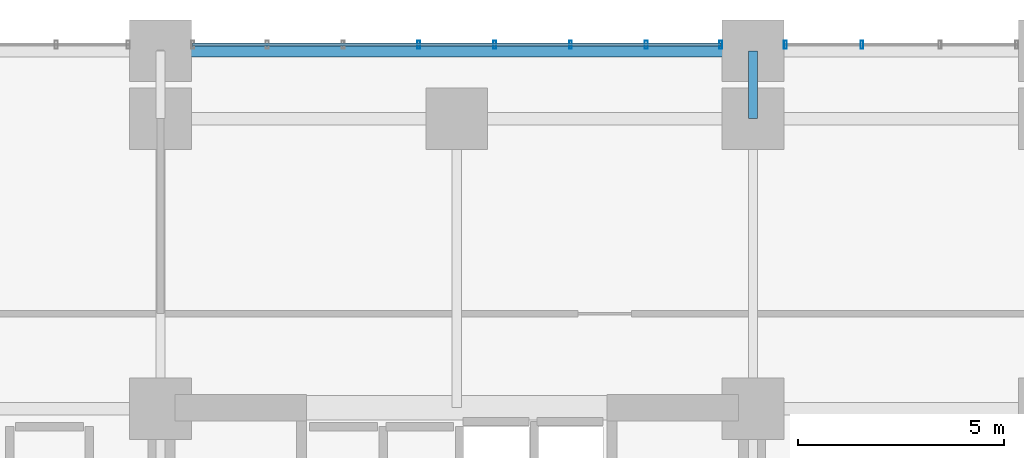
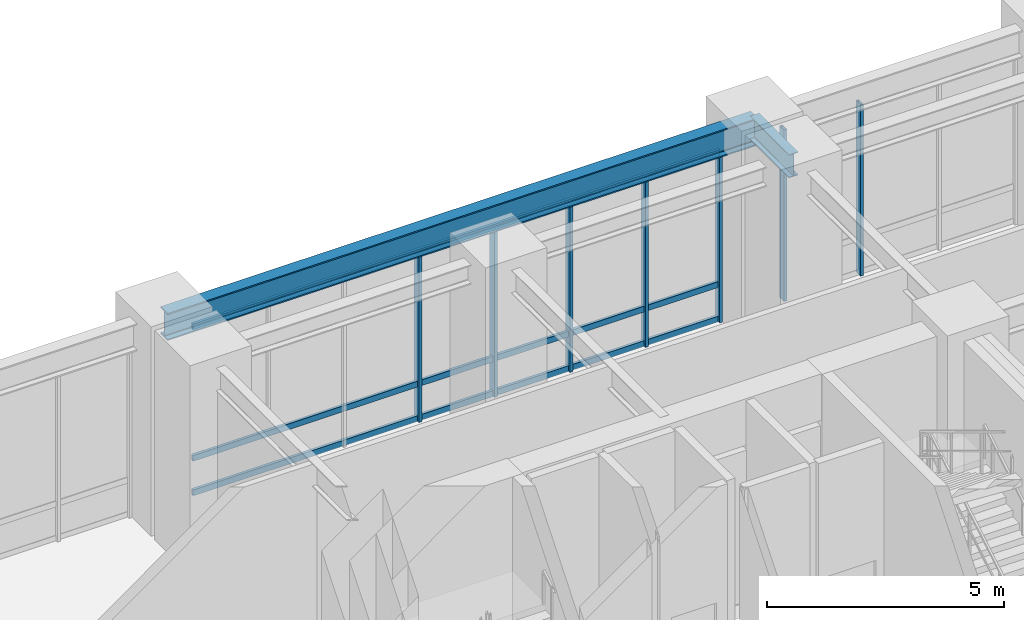
# One storey, part 6 of 22: 10 members, 2 beams, 2 elements without a shape of their own.
"""IFC4 building model written with IfcOpenShell, lengths in metres."""

from ifc_helpers import new_model, si_unit, direction, frame, origin, origin_2d, place, context, subcontext, project, spatial, hollow_rectangle, i_section, extrude, source, transform, mapped, material, layer, layer_set, material_profile, profile_set, type_object, element, aggregate, save


model = new_model("IFC4")

# Units and contexts
model_context = context("Model", 3, precision=1e-05, world=origin(), true_north=direction((0.0, 1.0)))
body_context = subcontext(model_context, "Body", "Model", "MODEL_VIEW")
ifc_project = project(units=[si_unit("LENGTHUNIT", "METRE"), si_unit("AREAUNIT", "SQUARE_METRE"), si_unit("VOLUMEUNIT", "CUBIC_METRE"), si_unit("PLANEANGLEUNIT", "RADIAN"), si_unit("MASSUNIT", "GRAM", prefix="KILO")], contexts=[model_context])

# Site, building, storey
site_placement = place(None, origin())
site = spatial("IfcSite", under=ifc_project, at=site_placement, CompositionType="ELEMENT")
building_placement = place(site_placement, origin())
building = spatial("IfcBuilding", under=site, at=building_placement, Name="Kaliganga Portal Commons", CompositionType="ELEMENT")
storey_placement = place(building_placement, origin())
storey = spatial("IfcBuildingStorey", under=building, at=storey_placement, Name="L00", CompositionType="ELEMENT", Elevation=0.0)

# Beams
ifc_material_1 = material(Name="Structural steel S355J2", Category="steel")
ifc_material_profile_1 = material_profile(ifc_material_1, i_section(OverallWidth=0.300048828125, OverallDepth=0.699951171875, WebThickness=0.01708984375, FlangeThickness=0.031982421875, FilletRadius=0.027099609375, at=origin_2d()), Name="HE 700 B")
ifc_profile_set_1 = profile_set([ifc_material_profile_1], Name="Structural steel S355J2 wide-flange")
beam_type_1 = type_object("IfcBeamType", Name="BM-GIRD-700", PredefinedType="USERDEFINED", material=ifc_profile_set_1)
shared_shape_1 = source(origin(), body_context, "Body", "SweptSolid", [
    extrude(i_section(OverallWidth=0.300048828125, OverallDepth=0.699951171875, WebThickness=0.01708984375, FlangeThickness=0.031982421875, FilletRadius=0.027099609375, at=origin_2d()), origin(), (0.0, 0.0, 1.0), 14.400146484375),
])
beam_1_placement = place(storey_placement, frame((14.39990234375, 44.85009765625, 4.77001953125), z_axis=(1.0, 0.0, 0.0), x_axis=(0.0, 1.0, 0.0)))
element("IfcBeam", 1, at=beam_1_placement, inside=storey, type_object=beam_type_1, Name="BM PODP L00 N44 2", ObjectType="GIRDER", PredefinedType="USERDEFINED", context=body_context, shape_type="MappedRepresentation", body=[
    mapped(shared_shape_1, transform((0.0, 0.0, 0.0), x_axis=(1.0, 0.0, 0.0), y_axis=(0.0, 1.0, 0.0), z_axis=(0.0, 0.0, 1.0), scale=1.0)),
])
ifc_material_profile_2 = material_profile(ifc_material_1, i_section(OverallWidth=0.219970703125, OverallDepth=0.60009765625, WebThickness=0.011962890625, FlangeThickness=0.01904296875, FilletRadius=0.02392578125, at=origin_2d()), Name="IPE 600")
ifc_profile_set_2 = profile_set([ifc_material_profile_2], Name="Structural steel S355J2 wide-flange")
beam_type_2 = type_object("IfcBeamType", Name="BM-FLR-600", PredefinedType="BEAM", material=ifc_profile_set_2)
shared_shape_2 = source(origin(), body_context, "Body", "SweptSolid", [
    extrude(i_section(OverallWidth=0.219970703125, OverallDepth=0.60009765625, WebThickness=0.011962890625, FlangeThickness=0.01904296875, FilletRadius=0.02392578125, at=origin_2d()), origin(), (0.0, 0.0, 1.0), 1.650146484375),
])
beam_2_placement = place(storey_placement, frame((28.800048828125, 43.199951171875, 4.820068359375), z_axis=(0.0, 1.0, 0.0), x_axis=(-1.0, 0.0, 0.0)))
element("IfcBeam", 2, at=beam_2_placement, inside=storey, type_object=beam_type_2, Name="BM PODP L00 NT28", PredefinedType="BEAM", context=body_context, shape_type="MappedRepresentation", body=[
    mapped(shared_shape_2, transform((0.0, 0.0, 0.0), x_axis=(1.0, 0.0, 0.0), y_axis=(0.0, 1.0, 0.0), z_axis=(0.0, 0.0, 1.0), scale=1.0)),
])

# Curtain wall, members
ifc_material_2 = material(Name="Anodized Aluminium and Laminated Low-E Glass", Category="aluminium")
ifc_layer = layer(ifc_material_2, 0.219970703125)
ifc_layer_set = layer_set([ifc_layer], Name="Anodized Aluminium and Laminated Low-E Glass")
curtain_wall_type = type_object("IfcCurtainWallType", Name="CW-SYS-01", PredefinedType="NOTDEFINED", material=ifc_layer_set)
curtain_wall_1_placement = place(storey_placement, origin())
curtain_wall_1 = element("IfcCurtainWall", 3, at=curtain_wall_1_placement, inside=storey, type_object=curtain_wall_type, Name="CW 01 L00 P1E02S5", PredefinedType="NOTDEFINED")
ifc_material_3 = material(Name="Dark Bronze Anodized Aluminium", Category="aluminium")
ifc_material_profile_3 = material_profile(ifc_material_3, hollow_rectangle(XDim=0.070068359375, YDim=0.199951171875, WallThickness=0.00390625, at=origin_2d()), Name="ALU MULL 70x200x4")
ifc_profile_set_3 = profile_set([ifc_material_profile_3], Name="Dark Bronze Anodized Aluminium")
member_type_1 = type_object("IfcMemberType", Name="CW-MUL-220", PredefinedType="MULLION", material=ifc_profile_set_3)
shared_shape_3 = source(origin(), body_context, "Body", "SweptSolid", [
    extrude(hollow_rectangle(XDim=0.070068359375, YDim=0.199951171875, WallThickness=0.00390625, at=origin_2d()), origin(), (0.0, 0.0, 1.0), 4.419921875),
])
member_1_placement = place(storey_placement, frame((31.4501953125, 45.0, 0.0), z_axis=(0.0, 0.0, 1.0), x_axis=(-1.0, 0.0, 0.0)))
member_1 = element("IfcMember", 4, at=member_1_placement, type_object=member_type_1, Name="CW:01:L00:P1E02S5 Mullion 02", PredefinedType="MULLION", context=body_context, shape_type="MappedRepresentation", body=[
    mapped(shared_shape_3, transform((0.0, 0.0, 0.0), x_axis=(1.0, 0.0, 0.0), y_axis=(0.0, 1.0, 0.0), z_axis=(0.0, 0.0, 1.0), scale=1.0)),
])
member_2_placement = place(storey_placement, frame((29.5859375, 45.0, 0.0), z_axis=(0.0, 0.0, 1.0), x_axis=(-1.0, 0.0, 0.0)))
member_2 = element("IfcMember", 5, at=member_2_placement, type_object=member_type_1, Name="CW:01:L00:P1E02S5 Mullion 03", PredefinedType="MULLION", context=body_context, shape_type="MappedRepresentation", body=[
    mapped(shared_shape_3, transform((0.0, 0.0, 0.0), x_axis=(1.0, 0.0, 0.0), y_axis=(0.0, 1.0, 0.0), z_axis=(0.0, 0.0, 1.0), scale=1.0)),
])
aggregate(curtain_wall_1, [member_1, member_2])

curtain_wall_2_placement = place(storey_placement, origin())
curtain_wall_2 = element("IfcCurtainWall", 6, at=curtain_wall_2_placement, inside=storey, type_object=curtain_wall_type, Name="CW 01 L00 P1E02S6", PredefinedType="NOTDEFINED")
member_3_placement = place(storey_placement, frame((28.013916015625, 45.0, 0.0), z_axis=(0.0, 0.0, 1.0), x_axis=(-1.0, 0.0, 0.0)))
member_3 = element("IfcMember", 7, at=member_3_placement, type_object=member_type_1, Name="CW:01:L00:P1E02S6 Mullion 00", PredefinedType="MULLION", context=body_context, shape_type="MappedRepresentation", body=[
    mapped(shared_shape_3, transform((0.0, 0.0, 0.0), x_axis=(1.0, 0.0, 0.0), y_axis=(0.0, 1.0, 0.0), z_axis=(0.0, 0.0, 1.0), scale=1.0)),
])
member_4_placement = place(storey_placement, frame((26.206298828125, 45.0, 0.0), z_axis=(0.0, 0.0, 1.0), x_axis=(-1.0, 0.0, 0.0)))
member_4 = element("IfcMember", 8, at=member_4_placement, type_object=member_type_1, Name="CW:01:L00:P1E02S6 Mullion 01", PredefinedType="MULLION", context=body_context, shape_type="MappedRepresentation", body=[
    mapped(shared_shape_3, transform((0.0, 0.0, 0.0), x_axis=(1.0, 0.0, 0.0), y_axis=(0.0, 1.0, 0.0), z_axis=(0.0, 0.0, 1.0), scale=1.0)),
])
member_5_placement = place(storey_placement, frame((24.364013671875, 45.0, 0.0), z_axis=(0.0, 0.0, 1.0), x_axis=(-1.0, 0.0, 0.0)))
member_5 = element("IfcMember", 9, at=member_5_placement, type_object=member_type_1, Name="CW:01:L00:P1E02S6 Mullion 02", PredefinedType="MULLION", context=body_context, shape_type="MappedRepresentation", body=[
    mapped(shared_shape_3, transform((0.0, 0.0, 0.0), x_axis=(1.0, 0.0, 0.0), y_axis=(0.0, 1.0, 0.0), z_axis=(0.0, 0.0, 1.0), scale=1.0)),
])
member_6_placement = place(storey_placement, frame((22.521240234375, 45.0, 0.0), z_axis=(0.0, 0.0, 1.0), x_axis=(-1.0, 0.0, 0.0)))
member_6 = element("IfcMember", 10, at=member_6_placement, type_object=member_type_1, Name="CW:01:L00:P1E02S6 Mullion 03", PredefinedType="MULLION", context=body_context, shape_type="MappedRepresentation", body=[
    mapped(shared_shape_3, transform((0.0, 0.0, 0.0), x_axis=(1.0, 0.0, 0.0), y_axis=(0.0, 1.0, 0.0), z_axis=(0.0, 0.0, 1.0), scale=1.0)),
])
member_7_placement = place(storey_placement, frame((20.6787109375, 45.0, 0.0), z_axis=(0.0, 0.0, 1.0), x_axis=(-1.0, 0.0, 0.0)))
member_7 = element("IfcMember", 11, at=member_7_placement, type_object=member_type_1, Name="CW:01:L00:P1E02S6 Mullion 04", PredefinedType="MULLION", context=body_context, shape_type="MappedRepresentation", body=[
    mapped(shared_shape_3, transform((0.0, 0.0, 0.0), x_axis=(1.0, 0.0, 0.0), y_axis=(0.0, 1.0, 0.0), z_axis=(0.0, 0.0, 1.0), scale=1.0)),
])
ifc_material_profile_4 = material_profile(ifc_material_3, hollow_rectangle(XDim=0.070068359375, YDim=0.14990234375, WallThickness=0.00341796875, at=origin_2d()), Name="ALU TRAN 70x150x3.5")
ifc_profile_set_4 = profile_set([ifc_material_profile_4], Name="Dark Bronze Anodized Aluminium")
member_type_2 = type_object("IfcMemberType", Name="CW-TRN-150", PredefinedType="USERDEFINED", material=ifc_profile_set_4)
shared_shape_4 = source(origin(), body_context, "Body", "SweptSolid", [
    extrude(hollow_rectangle(XDim=0.070068359375, YDim=0.14990234375, WallThickness=0.00341796875, at=origin_2d()), origin(), (0.0, 0.0, 1.0), 12.858154296875),
])
member_8_placement = place(storey_placement, frame((28.029052734375, 45.0, 0.06005859375), z_axis=(-1.0, 0.0, 0.0), x_axis=(0.0, -1.0, 0.0)))
member_8 = element("IfcMember", 12, at=member_8_placement, type_object=member_type_2, Name="CW:01:L00:P1E02S6 Transom 1", ObjectType="TRANSOM", PredefinedType="USERDEFINED", context=body_context, shape_type="MappedRepresentation", body=[
    mapped(shared_shape_4, transform((0.0, 0.0, 0.0), x_axis=(1.0, 0.0, 0.0), y_axis=(0.0, 1.0, 0.0), z_axis=(0.0, 0.0, 1.0), scale=1.0)),
])
member_9_placement = place(storey_placement, frame((28.029052734375, 45.0, 0.949951171875), z_axis=(-1.0, 0.0, 0.0), x_axis=(0.0, -1.0, 0.0)))
member_9 = element("IfcMember", 13, at=member_9_placement, type_object=member_type_2, Name="CW:01:L00:P1E02S6 Transom 2", ObjectType="TRANSOM", PredefinedType="USERDEFINED", context=body_context, shape_type="MappedRepresentation", body=[
    mapped(shared_shape_4, transform((0.0, 0.0, 0.0), x_axis=(1.0, 0.0, 0.0), y_axis=(0.0, 1.0, 0.0), z_axis=(0.0, 0.0, 1.0), scale=1.0)),
])
member_10_placement = place(storey_placement, frame((28.029052734375, 45.0, 4.340087890625), z_axis=(-1.0, 0.0, 0.0), x_axis=(0.0, -1.0, 0.0)))
member_10 = element("IfcMember", 14, at=member_10_placement, type_object=member_type_2, Name="CW:01:L00:P1E02S6 Transom 3", ObjectType="TRANSOM", PredefinedType="USERDEFINED", context=body_context, shape_type="MappedRepresentation", body=[
    mapped(shared_shape_4, transform((0.0, 0.0, 0.0), x_axis=(1.0, 0.0, 0.0), y_axis=(0.0, 1.0, 0.0), z_axis=(0.0, 0.0, 1.0), scale=1.0)),
])
aggregate(curtain_wall_2, [member_3, member_4, member_5, member_6, member_7, member_8, member_9, member_10])

save(model, "model.ifc")
